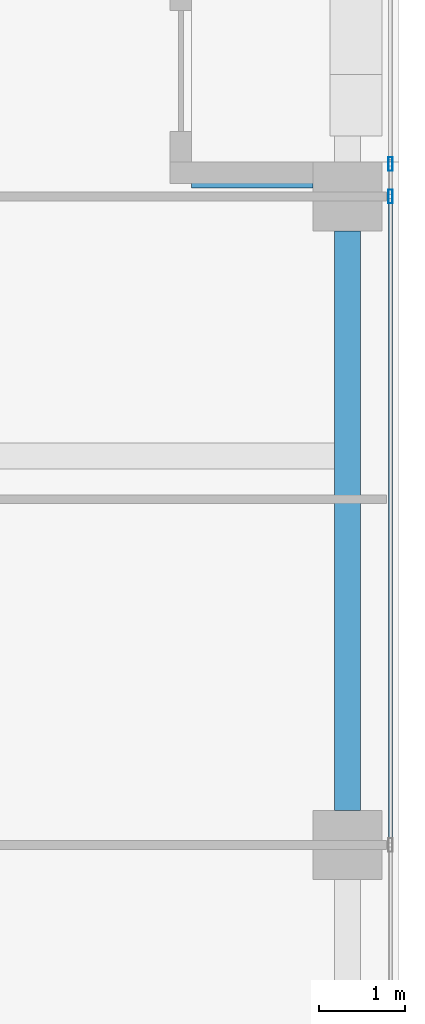
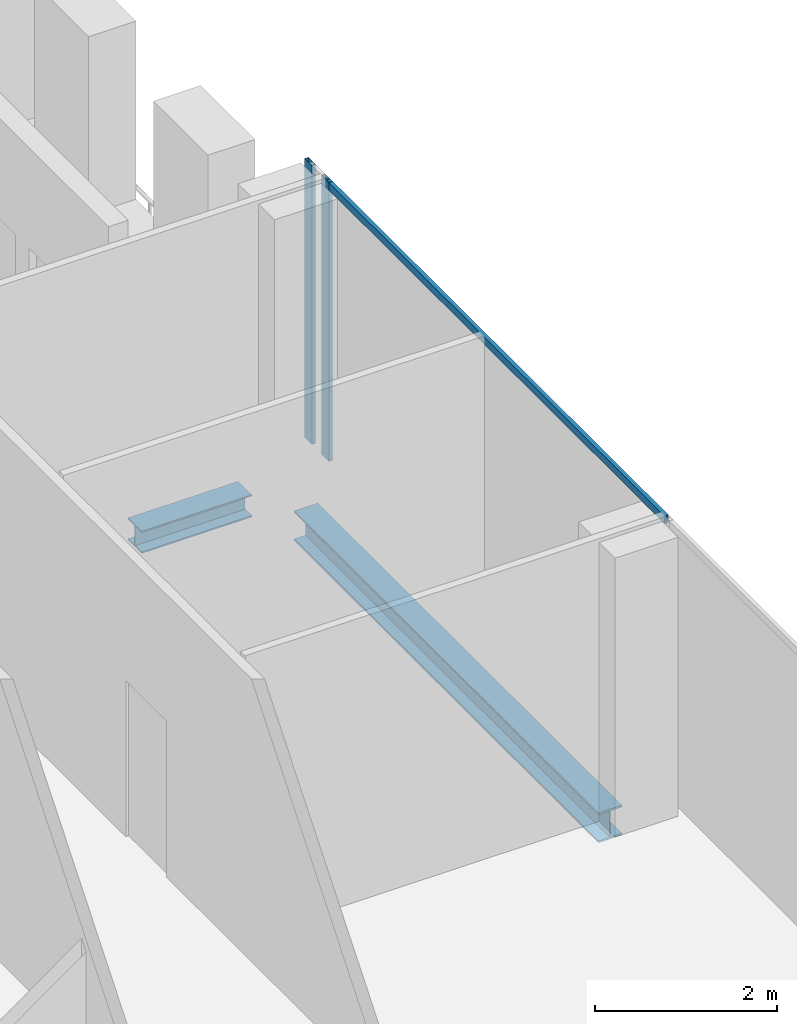
# One storey, part 12 of 29: 3 members, 2 beams, 1 element without a shape of its own.
"""IFC4 building model written with IfcOpenShell, lengths in metres."""

import ifcopenshell
import ifcopenshell.guid

model = None  # the IFC model being written
_history = None  # IfcOwnerHistory: only IFC2X3 demands one
_inside = {}  # id of a spatial element -> (the spatial element, [elements in it])
_under = {}  # id of a project, library or spatial element -> (it, [spatial elements below it])
_declared = {}  # id of a project -> (the project, [libraries it declares])
_typed = {}  # id of a type object -> (the type object, [elements of that type])
_made_of = {}  # id of a material, layer set ... -> (it, [elements and type objects made of it])


def new_model(schema):
    """Start an empty IFC model of exactly this schema.

    Asked for "IFC4X3", IfcOpenShell would pick the latest addendum, in which some entities
    have other attributes; the version numbers below select the first issue.
    IFC2X3 requires an IfcOwnerHistory on every rooted entity: one is made here for all.
    """
    global model, _history
    if schema == "IFC4X3":
        model = ifcopenshell.file(schema_version=(4, 3, 0, 0))
    else:
        model = ifcopenshell.file(schema=schema)
    _inside.clear()
    _under.clear()
    _declared.clear()
    _typed.clear()
    _made_of.clear()
    _history = None
    if model.schema == "IFC2X3":
        org = make("IfcOrganization", Name="unknown")
        user = make(
            "IfcPersonAndOrganization",
            ThePerson=make("IfcPerson", FamilyName="unknown"),
            TheOrganization=org,
        )
        app = make(
            "IfcApplication",
            ApplicationDeveloper=org,
            Version="unknown",
            ApplicationFullName="unknown",
            ApplicationIdentifier="unknown",
        )
        _history = make(
            "IfcOwnerHistory",
            OwningUser=user,
            OwningApplication=app,
            ChangeAction="ADDED",
            CreationDate=0,
        )
    return model


def make(cls, **values):
    """One entity of the class cls with the attributes given. An attribute that is None is left unset."""
    return model.create_entity(
        cls, **{name: value for name, value in values.items() if value is not None}
    )


def rooted(cls, **values):
    """An entity with a GlobalId (a new one), such as an element, a storey or a relation."""
    return make(cls, GlobalId=ifcopenshell.guid.new(), OwnerHistory=_history, **values)


def si_unit(unit_type, name, prefix=None):
    """IfcSIUnit, for example si_unit("LENGTHUNIT", "METRE", prefix="MILLI")."""
    return make("IfcSIUnit", UnitType=unit_type, Prefix=prefix, Name=name)


def assignment(units):
    """IfcUnitAssignment: the units of a project."""
    return None if units is None else make("IfcUnitAssignment", Units=units)


def point(xyz):
    """IfcCartesianPoint."""
    return None if xyz is None else make("IfcCartesianPoint", Coordinates=xyz)


def direction(xyz):
    """IfcDirection."""
    return None if xyz is None else make("IfcDirection", DirectionRatios=xyz)


def frame(location, z_axis=None, x_axis=None):
    """IfcAxis2Placement3D, a coordinate frame: its origin and axes. An axis left out is left unset."""
    return make(
        "IfcAxis2Placement3D",
        Location=point(location),
        Axis=direction(z_axis),
        RefDirection=direction(x_axis),
    )


def frame_2d(location, x_axis=None):
    """IfcAxis2Placement2D, a coordinate frame in the plane: its origin and x axis."""
    return make(
        "IfcAxis2Placement2D", Location=point(location), RefDirection=direction(x_axis)
    )


def origin():
    """The frame at (0, 0, 0) with its axes left unset."""
    return frame((0.0, 0.0, 0.0))


def origin_2d():
    """The frame at (0, 0) in the plane with its x axis left unset."""
    return frame_2d((0.0, 0.0))


def place(relative_to, where):
    """IfcLocalPlacement: puts the frame where relative to a parent placement (None: the world)."""
    return make(
        "IfcLocalPlacement", PlacementRelTo=relative_to, RelativePlacement=where
    )


def context(
    kind, dimensions, precision=None, world=None, true_north=None, identifier=None
):
    """IfcGeometricRepresentationContext, for example the 3D "Model" context."""
    return make(
        "IfcGeometricRepresentationContext",
        ContextIdentifier=identifier,
        ContextType=kind,
        CoordinateSpaceDimension=dimensions,
        Precision=precision,
        WorldCoordinateSystem=world,
        TrueNorth=true_north,
    )


def subcontext(parent, identifier, kind, view, scale=None):
    """IfcGeometricRepresentationSubContext, for example "Body" below "Model"."""
    return make(
        "IfcGeometricRepresentationSubContext",
        ContextIdentifier=identifier,
        ContextType=kind,
        ParentContext=parent,
        TargetScale=scale,
        TargetView=view,
    )


def project(units=None, contexts=None):
    """IfcProject with its units and contexts."""
    return rooted(
        "IfcProject",
        Name="project",
        RepresentationContexts=contexts,
        UnitsInContext=assignment(units),
    )


def spatial(cls, under=None, at=None, **own):
    """A site, building, storey or space (cls), placed at a placement, below another one or the project."""
    s = rooted(cls, ObjectPlacement=at, **own)
    if under is not None:
        _under.setdefault(under.id(), (under, []))[1].append(s)
    return s


def profile(cls, at=None, kind="AREA", **sizes):
    """A parametric profile (cls). Its sizes go by their IFC names, for example OverallWidth=200.0."""
    return make(cls, ProfileType=kind, Position=at, **sizes)


def hollow_rectangle(**sizes):
    """IfcRectangleHollowProfileDef."""
    return profile("IfcRectangleHollowProfileDef", **sizes)


def i_section(**sizes):
    """IfcIShapeProfileDef."""
    return profile("IfcIShapeProfileDef", **sizes)


def extrude(swept, where, along, depth):
    """IfcExtrudedAreaSolid: the profile swept, set in the frame where, extruded along a direction by depth."""
    return make(
        "IfcExtrudedAreaSolid",
        SweptArea=swept,
        Position=where,
        ExtrudedDirection=direction(along),
        Depth=depth,
    )


def shape(context_of_items, identifier, shape_type, items):
    """IfcShapeRepresentation: the items that make up one representation, for example the "Body"."""
    return make(
        "IfcShapeRepresentation",
        ContextOfItems=context_of_items,
        RepresentationIdentifier=identifier,
        RepresentationType=shape_type,
        Items=items,
    )


def source(mapping_origin, context_of_items, identifier, shape_type, items):
    """IfcRepresentationMap: a shape defined once, which mapped items show again and again."""
    return make(
        "IfcRepresentationMap",
        MappingOrigin=mapping_origin,
        MappedRepresentation=shape(context_of_items, identifier, shape_type, items),
    )


def transform(
    local_origin,
    x_axis=None,
    y_axis=None,
    z_axis=None,
    scale=None,
    scale2=None,
    scale3=None,
    uniform=True,
):
    """IfcCartesianTransformationOperator3D, or its non-uniform kind. x_axis, y_axis, z_axis: its Axis1, 2, 3."""
    if uniform:
        return make(
            "IfcCartesianTransformationOperator3D",
            Axis1=direction(x_axis),
            Axis2=direction(y_axis),
            LocalOrigin=point(local_origin),
            Scale=scale,
            Axis3=direction(z_axis),
        )
    return make(
        "IfcCartesianTransformationOperator3DnonUniform",
        Axis1=direction(x_axis),
        Axis2=direction(y_axis),
        LocalOrigin=point(local_origin),
        Scale=scale,
        Axis3=direction(z_axis),
        Scale2=scale2,
        Scale3=scale3,
    )


def mapped(mapping_source, mapping_target):
    """IfcMappedItem: shows the shape of a source again, moved by a transform."""
    return make(
        "IfcMappedItem", MappingSource=mapping_source, MappingTarget=mapping_target
    )


def material(Name=None, Category=None):
    """IfcMaterial."""
    return make("IfcMaterial", Name=Name, Category=Category)


def material_profile(
    of_material, cross_section, Name=None, Category=None, Priority=None
):
    """IfcMaterialProfile: a cross section and its material."""
    return make(
        "IfcMaterialProfile",
        Name=Name,
        Material=of_material,
        Profile=cross_section,
        Priority=Priority,
        Category=Category,
    )


def profile_set(profiles, Name=None, composite=None):
    """IfcMaterialProfileSet."""
    return make(
        "IfcMaterialProfileSet",
        Name=Name,
        MaterialProfiles=profiles,
        CompositeProfile=composite,
    )


def made_of(thing, what):
    """Note that an element or type object is made of a material, layer set ...; save() writes the relation."""
    if what is not None:
        _made_of.setdefault(what.id(), (what, []))[1].append(thing)
    return thing


def type_object(cls, material=None, **own):
    """A type object (cls), such as IfcWallType, which elements share."""
    return made_of(rooted(cls, **own), material)


def element(
    cls,
    number,
    at=None,
    inside=None,
    cuts=None,
    type_object=None,
    material=None,
    context=None,
    identifier="Body",
    shape_type=None,
    held_by="IfcProductDefinitionShape",
    body=None,
    shapes=None,
    **own,
):
    """One element of the class cls, such as IfcWall. Its Tag is "e" and its number.

    at: its placement. inside: the storey or other place that contains it. cuts: it is an
    opening in that element (IfcRelVoidsElement). A single representation is given by context,
    identifier, shape_type and body (its items); several are given by shapes. held_by: the class
    of the entity that holds the representations. save() writes the other relations.
    """
    e = rooted(cls, Tag="e%d" % number, ObjectPlacement=at, **own)
    if body is not None:
        shapes = [shape(context, identifier, shape_type, body)]
    if shapes is not None:
        e.Representation = make(held_by, Representations=shapes)
    if inside is not None:
        _inside.setdefault(inside.id(), (inside, []))[1].append(e)
    if cuts is not None:
        rooted(
            "IfcRelVoidsElement", RelatingBuildingElement=cuts, RelatedOpeningElement=e
        )
    if type_object is not None:
        _typed.setdefault(type_object.id(), (type_object, []))[1].append(e)
    return made_of(e, material)


def aggregate(whole, parts):
    """IfcRelAggregates: a whole, such as a stair, and the parts it consists of."""
    return rooted("IfcRelAggregates", RelatingObject=whole, RelatedObjects=parts)


def save(model, path):
    """Write the relations noted so far, then the file.

    IfcRelAggregates (storeys below a building ...), IfcRelContainedInSpatialStructure (elements
    in a storey), IfcRelDefinesByType, IfcRelAssociatesMaterial and IfcRelDeclares: one each for
    every whole, place, type object, material and project.
    """
    for whole, parts in _under.values():
        aggregate(whole, parts)
    for where, things in _inside.values():
        rooted(
            "IfcRelContainedInSpatialStructure",
            RelatedElements=things,
            RelatingStructure=where,
        )
    for kind, things in _typed.values():
        rooted("IfcRelDefinesByType", RelatedObjects=things, RelatingType=kind)
    for what, things in _made_of.values():
        rooted("IfcRelAssociatesMaterial", RelatedObjects=things, RelatingMaterial=what)
    for by, libraries in _declared.values():
        rooted("IfcRelDeclares", RelatingContext=by, RelatedDefinitions=libraries)
    model.write(path)


model = new_model("IFC4")

# Units and contexts
model_context = context("Model", 3, precision=1e-05, world=origin(), true_north=direction((0.0, 1.0)))
body_context = subcontext(model_context, "Body", "Model", "MODEL_VIEW")
ifc_project = project(units=[si_unit("LENGTHUNIT", "METRE"), si_unit("AREAUNIT", "SQUARE_METRE"), si_unit("VOLUMEUNIT", "CUBIC_METRE"), si_unit("PLANEANGLEUNIT", "RADIAN"), si_unit("MASSUNIT", "GRAM", prefix="KILO")], contexts=[model_context])

# Site, building, storey
site_placement = place(None, origin())
site = spatial("IfcSite", under=ifc_project, at=site_placement, CompositionType="ELEMENT")
building_placement = place(site_placement, origin())
building = spatial("IfcBuilding", under=site, at=building_placement, Name="Khomas Fold Tower", CompositionType="ELEMENT")
storey_placement = place(building_placement, frame((0.0, 0.0, 310.199951171875)))
storey = spatial("IfcBuildingStorey", under=building, at=storey_placement, Name="L70", CompositionType="ELEMENT", Elevation=310.199951171875)

# Beams
ifc_material_1 = material(Name="Steel S355", Category="steel")
ifc_material_profile_1 = material_profile(ifc_material_1, i_section(OverallWidth=0.300048828125, OverallDepth=0.39990234375, WebThickness=0.013427734375, FlangeThickness=0.02392578125, at=origin_2d()), Name="HE 400 B")
ifc_profile_set_1 = profile_set([ifc_material_profile_1], Name="Steel S355")
beam_type_1 = type_object("IfcBeamType", Name="HE 400 B spandrel SB5", PredefinedType="SPANDREL", material=ifc_profile_set_1)
shared_shape_1 = source(origin(), body_context, "Body", "SweptSolid", [
    extrude(i_section(OverallWidth=0.300048828125, OverallDepth=0.39990234375, WebThickness=0.013427734375, FlangeThickness=0.02392578125, at=origin_2d()), origin(), (0.0, 0.0, 1.0), 6.7001953125),
])
beam_1_placement = place(storey_placement, frame((47.39990234375, 27.39990234375, -0.449951171875), z_axis=(0.0, 1.0, 0.0), x_axis=(-1.0, 0.0, 0.0)))
element("IfcBeam", 1, at=beam_1_placement, inside=storey, type_object=beam_type_1, Name="SB5", PredefinedType="SPANDREL", context=body_context, shape_type="MappedRepresentation", body=[
    mapped(shared_shape_1, transform((0.0, 0.0, 0.0))),
])
ifc_material_2 = material(Name="Steel S355", Category="steel")
ifc_material_profile_2 = material_profile(ifc_material_2, i_section(OverallWidth=0.300048828125, OverallDepth=0.300048828125, WebThickness=0.010986328125, FlangeThickness=0.01904296875, at=origin_2d()), Name="HE 300 B")
ifc_profile_set_2 = profile_set([ifc_material_profile_2], Name="Steel S355")
beam_type_2 = type_object("IfcBeamType", Name="HE 300 B beam BB1", PredefinedType="BEAM", material=ifc_profile_set_2)
shared_shape_2 = source(origin(), body_context, "Body", "SweptSolid", [
    extrude(i_section(OverallWidth=0.300048828125, OverallDepth=0.300048828125, WebThickness=0.010986328125, FlangeThickness=0.01904296875, at=origin_2d()), origin(), (0.0, 0.0, 1.0), 1.39990234375),
])
beam_2_placement = place(storey_placement, frame((45.60009765625, 34.75, -0.39990234375), z_axis=(1.0, 0.0, 0.0), x_axis=(0.0, 1.0, 0.0)))
element("IfcBeam", 2, at=beam_2_placement, inside=storey, type_object=beam_type_2, Name="BB1", PredefinedType="BEAM", context=body_context, shape_type="MappedRepresentation", body=[
    mapped(shared_shape_2, transform((0.0, 0.0, 0.0))),
])

# Curtain wall, members
ifc_material_3 = material(Name="Aluminium framed double glazing", Category="aluminium")
curtain_wall_type = type_object("IfcCurtainWallType", Name="SK-Unitised clear-glass wall, upper floors CW3", PredefinedType="NOTDEFINED", material=ifc_material_3)
curtain_wall_placement = place(storey_placement, origin())
curtain_wall = element("IfcCurtainWall", 3, at=curtain_wall_placement, inside=storey, type_object=curtain_wall_type, Name="CW3 run L70 03-0", PredefinedType="NOTDEFINED")
ifc_material_4 = material(Name="Aluminium", Category="aluminium")
ifc_material_profile_3 = material_profile(ifc_material_4, hollow_rectangle(XDim=0.050048828125, YDim=0.159912109375, WallThickness=0.00390625, at=origin_2d()), Name="SK-Unitised clear-glass wall, upper floors mullion CW3-M")
ifc_profile_set_3 = profile_set([ifc_material_profile_3], Name="Aluminium")
member_type_1 = type_object("IfcMemberType", Name="SK-Unitised clear-glass wall, upper floors mullion CW3-M", PredefinedType="MULLION", material=ifc_profile_set_3)
shared_shape_3 = source(origin(), body_context, "Body", "SweptSolid", [
    extrude(hollow_rectangle(XDim=0.050048828125, YDim=0.159912109375, WallThickness=0.00390625, at=origin_2d()), origin(), (0.0, 0.0, 1.0), 3.75),
])
member_1_placement = place(storey_placement, frame((47.89990234375, 34.5, 0.0), z_axis=(0.0, 0.0, 1.0), x_axis=(-1.0, 0.0, 0.0)))
member_1 = element("IfcMember", 4, at=member_1_placement, type_object=member_type_1, Name="CW3 mullion 5", PredefinedType="MULLION", context=body_context, shape_type="MappedRepresentation", body=[
    mapped(shared_shape_3, transform((0.0, 0.0, 0.0))),
])
member_2_placement = place(storey_placement, frame((47.89990234375, 34.875, 0.0), z_axis=(0.0, 0.0, 1.0), x_axis=(-1.0, 0.0, 0.0)))
member_2 = element("IfcMember", 5, at=member_2_placement, type_object=member_type_1, Name="CW3 mullion 6", PredefinedType="MULLION", context=body_context, shape_type="MappedRepresentation", body=[
    mapped(shared_shape_3, transform((0.0, 0.0, 0.0))),
])
ifc_material_5 = material(Name="Aluminium", Category="aluminium")
ifc_material_profile_4 = material_profile(ifc_material_5, hollow_rectangle(XDim=0.050048828125, YDim=0.10009765625, WallThickness=0.00390625, at=origin_2d()), Name="SK-Unitised clear-glass wall, upper floors transom CW3-T")
ifc_profile_set_4 = profile_set([ifc_material_profile_4], Name="Aluminium")
member_type_2 = type_object("IfcMemberType", Name="SK-Unitised clear-glass wall, upper floors transom CW3-T", PredefinedType="USERDEFINED", material=ifc_profile_set_4)
shared_shape_4 = source(origin(), body_context, "Body", "SweptSolid", [
    extrude(hollow_rectangle(XDim=0.050048828125, YDim=0.10009765625, WallThickness=0.00390625, at=origin_2d()), origin(), (0.0, 0.0, 1.0), 7.4501953125),
])
member_3_placement = place(storey_placement, frame((47.89990234375, 27.02490234375, 3.699951171875), z_axis=(0.0, 1.0, 0.0), x_axis=(-1.0, 0.0, 0.0)))
member_3 = element("IfcMember", 6, at=member_3_placement, type_object=member_type_2, Name="CW3 transom 4", ObjectType="TRANSOM", PredefinedType="USERDEFINED", context=body_context, shape_type="MappedRepresentation", body=[
    mapped(shared_shape_4, transform((0.0, 0.0, 0.0))),
])
aggregate(curtain_wall, [member_1, member_2, member_3])

save(model, "model.ifc")
